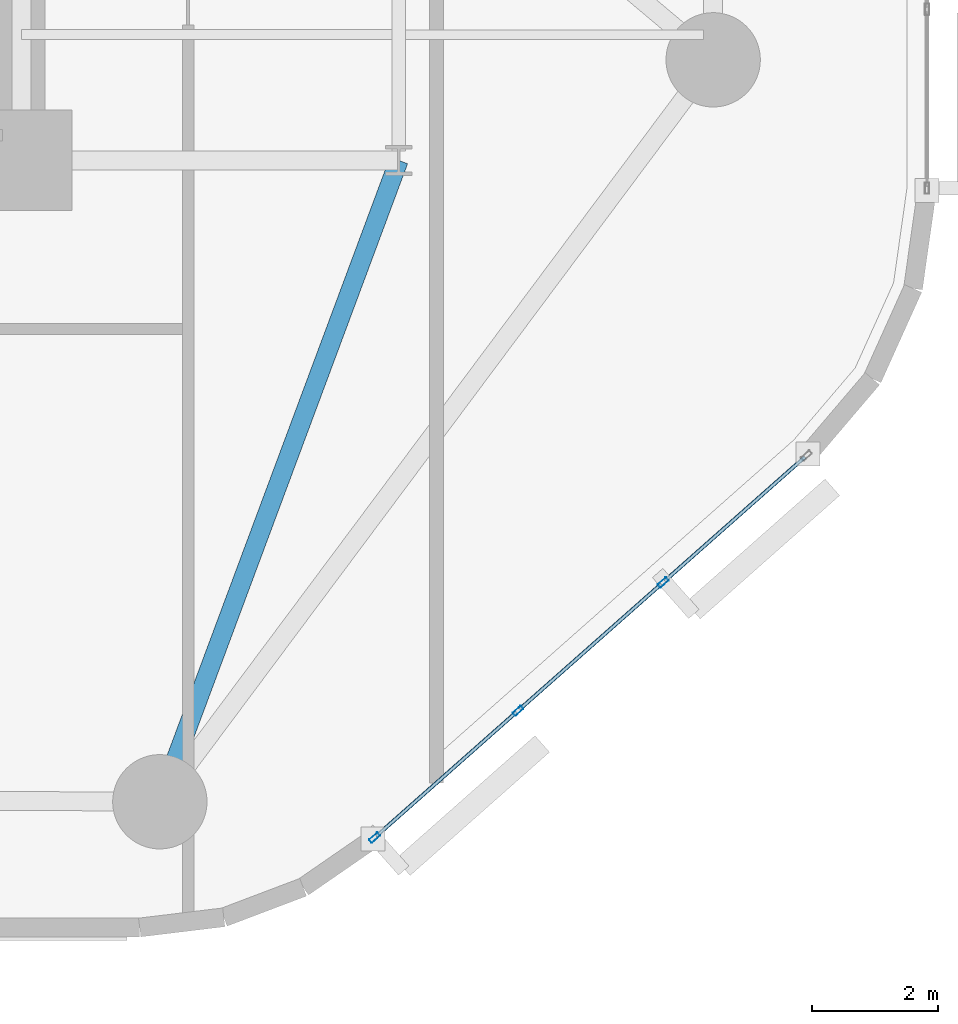
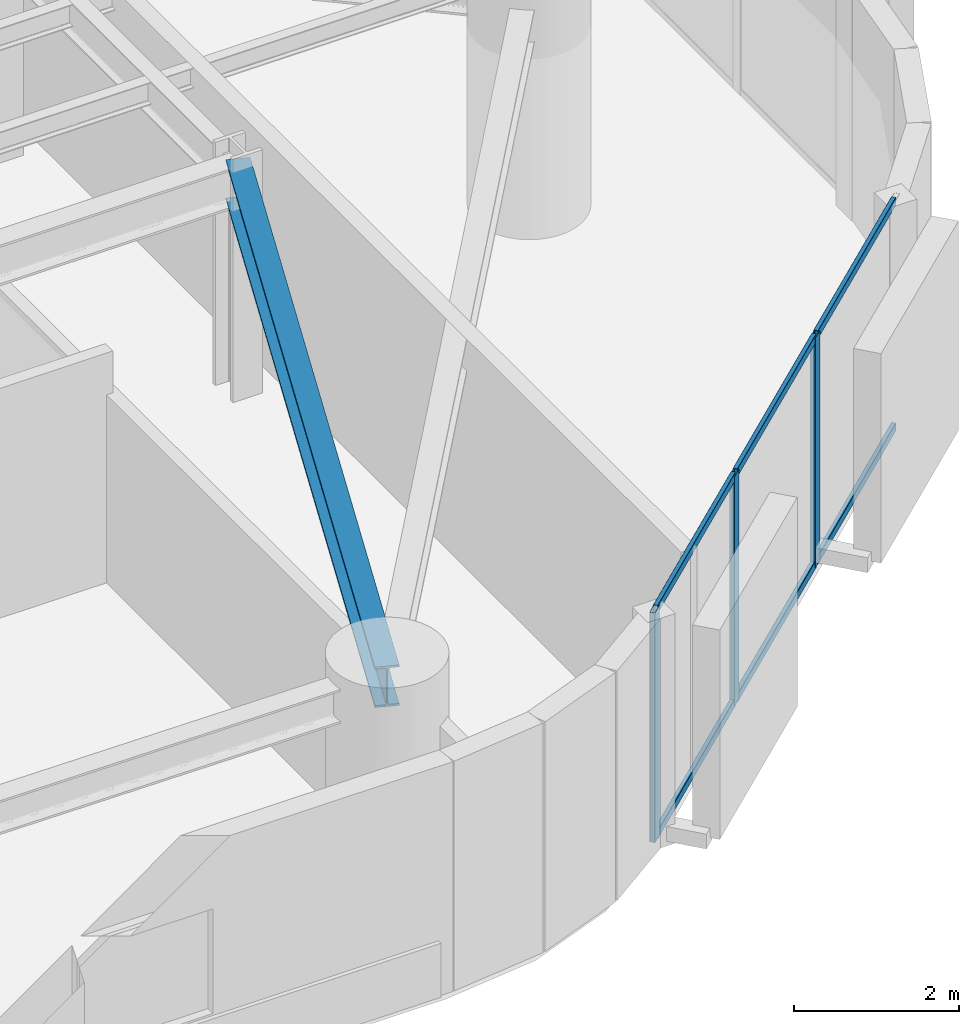
# One storey, part 2 of 17: 9 members, 1 beam, 1 element without a shape of its own.
"""IFC4 building model written with IfcOpenShell, lengths in metres."""

from ifc_helpers import new_model, si_unit, direction, frame, origin, origin_2d, place, context, subcontext, project, spatial, hollow_rectangle, i_section, extrude, material, layer, layer_set, material_profile, profile_set, type_object, element, aggregate, save


model = new_model("IFC4")

# Units and contexts
model_context = context("Model", 3, precision=1e-05, world=origin(), true_north=direction((0.0, 1.0)))
body_context = subcontext(model_context, "Body", "Model", "MODEL_VIEW")
ifc_project = project(units=[si_unit("LENGTHUNIT", "METRE"), si_unit("AREAUNIT", "SQUARE_METRE"), si_unit("VOLUMEUNIT", "CUBIC_METRE"), si_unit("PLANEANGLEUNIT", "RADIAN"), si_unit("MASSUNIT", "GRAM", prefix="KILO")], contexts=[model_context])

# Site, building, storey
site_placement = place(None, origin())
site = spatial("IfcSite", under=ifc_project, at=site_placement, CompositionType="ELEMENT")
building_placement = place(site_placement, origin())
building = spatial("IfcBuilding", under=site, at=building_placement, Name="An Khanh Terracotta Commons", CompositionType="ELEMENT")
storey_placement = place(building_placement, frame((0.0, 0.0, 32.39990234375)))
storey = spatial("IfcBuildingStorey", under=building, at=storey_placement, Name="L08", CompositionType="ELEMENT", Elevation=32.39990234375)

# Beam
ifc_material_1 = material(Name="Steel S355J2", Category="steel")
ifc_material_profile_1 = material_profile(ifc_material_1, i_section(OverallWidth=0.300048828125, OverallDepth=0.60009765625, WebThickness=0.015380859375, FlangeThickness=0.030029296875, FilletRadius=0.027099609375, at=origin_2d()), Name="HEB600")
ifc_profile_set_1 = profile_set([ifc_material_profile_1], Name="Steel S355J2")
beam_type = type_object("IfcBeamType", Name="BM-HEB600", PredefinedType="BEAM", material=ifc_profile_set_1)
beam_placement = place(storey_placement, frame((39.39990234375, 4.199951171875, 3.10009765625), z_axis=(0.349114429862, 0.937080100558, 0.0), x_axis=(-0.937080100558, 0.349114429862, 0.0)))
element("IfcBeam", 1, at=beam_placement, inside=storey, type_object=beam_type, Name="L08 Mega-Column Tie Girder 2", PredefinedType="BEAM", context=body_context, shape_type="SweptSolid", body=[
    extrude(i_section(OverallWidth=0.300048828125, OverallDepth=0.60009765625, WebThickness=0.015380859375, FlangeThickness=0.030029296875, FilletRadius=0.027099609375, at=origin_2d()), origin(), (0.0, 0.0, 1.0), 10.884765625),
])

# Curtain wall, members
ifc_material_2 = material(Name="Anodised Aluminium 6063-T6", Category="aluminium")
ifc_layer = layer(ifc_material_2, 0.199951171875, Name="Anodised Aluminium 6063-T6")
ifc_layer_set = layer_set([ifc_layer], Name="Anodised Aluminium 6063-T6")
curtain_wall_type = type_object("IfcCurtainWallType", Name="CW-SYS-02", PredefinedType="USERDEFINED", material=ifc_layer_set)
curtain_wall_placement = place(storey_placement, origin())
curtain_wall = element("IfcCurtainWall", 2, at=curtain_wall_placement, inside=storey, type_object=curtain_wall_type, Name="L08 CW-02 Unitised Curtain Wall CW-L08-08", ObjectType="UNITISED CURTAIN WALL", PredefinedType="USERDEFINED")
ifc_material_profile_2 = material_profile(ifc_material_2, hollow_rectangle(XDim=0.070068359375, YDim=0.179931640625, WallThickness=0.00390625, InnerFilletRadius=0.00390625, OuterFilletRadius=0.008056640625, at=origin_2d()), Name="RHS180x70x4")
ifc_profile_set_2 = profile_set([ifc_material_profile_2], Name="Anodised Aluminium 6063-T6")
member_type_1 = type_object("IfcMemberType", Name="CWM-RHS180x70x4", PredefinedType="MULLION", material=ifc_profile_set_2)
member_1_placement = place(storey_placement, frame((42.815185546875, 3.629150390625, 0.0), z_axis=(0.0, 0.0, 1.0), x_axis=(-0.662548195415, 0.749019284633, 0.0)))
member_1 = element("IfcMember", 3, at=member_1_placement, type_object=member_type_1, Name="CW-02 mullion 1", PredefinedType="MULLION", context=body_context, shape_type="SweptSolid", body=[
    extrude(hollow_rectangle(XDim=0.070068359375, YDim=0.179931640625, WallThickness=0.00390625, InnerFilletRadius=0.00390625, OuterFilletRadius=0.008056640625, at=origin_2d()), origin(), (0.0, 0.0, 1.0), 3.400146484375),
])
member_2_placement = place(storey_placement, frame((45.095947265625, 5.646728515625, 0.0), z_axis=(0.0, 0.0, 1.0), x_axis=(-0.662548195415, 0.749019284633, 0.0)))
member_2 = element("IfcMember", 4, at=member_2_placement, type_object=member_type_1, Name="CW-02 mullion 2", PredefinedType="MULLION", context=body_context, shape_type="SweptSolid", body=[
    extrude(hollow_rectangle(XDim=0.070068359375, YDim=0.179931640625, WallThickness=0.00390625, InnerFilletRadius=0.00390625, OuterFilletRadius=0.008056640625, at=origin_2d()), origin(), (0.0, 0.0, 1.0), 3.400146484375),
])
member_3_placement = place(storey_placement, frame((47.403076171875, 7.687255859375, 0.0), z_axis=(0.0, 0.0, 1.0), x_axis=(-0.662548195415, 0.749019284633, 0.0)))
member_3 = element("IfcMember", 5, at=member_3_placement, type_object=member_type_1, Name="CW-02 mullion 3", PredefinedType="MULLION", context=body_context, shape_type="SweptSolid", body=[
    extrude(hollow_rectangle(XDim=0.070068359375, YDim=0.179931640625, WallThickness=0.00390625, InnerFilletRadius=0.00390625, OuterFilletRadius=0.008056640625, at=origin_2d()), origin(), (0.0, 0.0, 1.0), 3.400146484375),
])
ifc_material_profile_3 = material_profile(ifc_material_2, hollow_rectangle(XDim=0.06005859375, YDim=0.1201171875, WallThickness=0.003662109375, InnerFilletRadius=0.003662109375, OuterFilletRadius=0.007080078125, at=origin_2d()), Name="RHS120x60x3.6")
ifc_profile_set_3 = profile_set([ifc_material_profile_3], Name="Anodised Aluminium 6063-T6")
member_type_2 = type_object("IfcMemberType", Name="CWT-RHS120x60x3.6", PredefinedType="USERDEFINED", material=ifc_profile_set_3)
member_4_placement = place(storey_placement, frame((42.841552734375, 3.65234375, 0.030029296875), z_axis=(0.74899186341, 0.662579194168, 0.0), x_axis=(-0.662579194168, 0.74899186341, 0.0)))
member_4 = element("IfcMember", 6, at=member_4_placement, type_object=member_type_2, Name="CW-02 transom 1.1", ObjectType="TRANSOM", PredefinedType="USERDEFINED", context=body_context, shape_type="SweptSolid", body=[
    extrude(hollow_rectangle(XDim=0.06005859375, YDim=0.1201171875, WallThickness=0.003662109375, InnerFilletRadius=0.003662109375, OuterFilletRadius=0.007080078125, at=origin_2d()), origin(), (0.0, 0.0, 1.0), 2.97509765625),
])
member_5_placement = place(storey_placement, frame((42.841552734375, 3.65234375, 3.3701171875), z_axis=(0.74899186341, 0.662579194168, 0.0), x_axis=(-0.662579194168, 0.74899186341, 0.0)))
member_5 = element("IfcMember", 7, at=member_5_placement, type_object=member_type_2, Name="CW-02 transom 1.2", ObjectType="TRANSOM", PredefinedType="USERDEFINED", context=body_context, shape_type="SweptSolid", body=[
    extrude(hollow_rectangle(XDim=0.06005859375, YDim=0.1201171875, WallThickness=0.003662109375, InnerFilletRadius=0.003662109375, OuterFilletRadius=0.007080078125, at=origin_2d()), origin(), (0.0, 0.0, 1.0), 2.97509765625),
])
member_6_placement = place(storey_placement, frame((45.122314453125, 5.669921875, 0.030029296875), z_axis=(0.749018237701, 0.662549378984, 0.0), x_axis=(-0.662549378984, 0.749018237701, 0.0)))
member_6 = element("IfcMember", 8, at=member_6_placement, type_object=member_type_2, Name="CW-02 transom 2.1", ObjectType="TRANSOM", PredefinedType="USERDEFINED", context=body_context, shape_type="SweptSolid", body=[
    extrude(hollow_rectangle(XDim=0.06005859375, YDim=0.1201171875, WallThickness=0.003662109375, InnerFilletRadius=0.003662109375, OuterFilletRadius=0.007080078125, at=origin_2d()), origin(), (0.0, 0.0, 1.0), 3.009765625),
])
member_7_placement = place(storey_placement, frame((45.122314453125, 5.669921875, 3.3701171875), z_axis=(0.749018237701, 0.662549378984, 0.0), x_axis=(-0.662549378984, 0.749018237701, 0.0)))
member_7 = element("IfcMember", 9, at=member_7_placement, type_object=member_type_2, Name="CW-02 transom 2.2", ObjectType="TRANSOM", PredefinedType="USERDEFINED", context=body_context, shape_type="SweptSolid", body=[
    extrude(hollow_rectangle(XDim=0.06005859375, YDim=0.1201171875, WallThickness=0.003662109375, InnerFilletRadius=0.003662109375, OuterFilletRadius=0.007080078125, at=origin_2d()), origin(), (0.0, 0.0, 1.0), 3.009765625),
])
member_8_placement = place(storey_placement, frame((47.42919921875, 7.71044921875, 0.030029296875), z_axis=(0.74899186341, 0.662579194168, 0.0), x_axis=(-0.662579194168, 0.74899186341, 0.0)))
member_8 = element("IfcMember", 10, at=member_8_placement, type_object=member_type_2, Name="CW-02 transom 3.1", ObjectType="TRANSOM", PredefinedType="USERDEFINED", context=body_context, shape_type="SweptSolid", body=[
    extrude(hollow_rectangle(XDim=0.06005859375, YDim=0.1201171875, WallThickness=0.003662109375, InnerFilletRadius=0.003662109375, OuterFilletRadius=0.007080078125, at=origin_2d()), origin(), (0.0, 0.0, 1.0), 2.97509765625),
])
member_9_placement = place(storey_placement, frame((47.42919921875, 7.71044921875, 3.3701171875), z_axis=(0.74899186341, 0.662579194168, 0.0), x_axis=(-0.662579194168, 0.74899186341, 0.0)))
member_9 = element("IfcMember", 11, at=member_9_placement, type_object=member_type_2, Name="CW-02 transom 3.2", ObjectType="TRANSOM", PredefinedType="USERDEFINED", context=body_context, shape_type="SweptSolid", body=[
    extrude(hollow_rectangle(XDim=0.06005859375, YDim=0.1201171875, WallThickness=0.003662109375, InnerFilletRadius=0.003662109375, OuterFilletRadius=0.007080078125, at=origin_2d()), origin(), (0.0, 0.0, 1.0), 2.97509765625),
])
aggregate(curtain_wall, [member_1, member_2, member_3, member_4, member_5, member_6, member_7, member_8, member_9])

save(model, "model.ifc")
